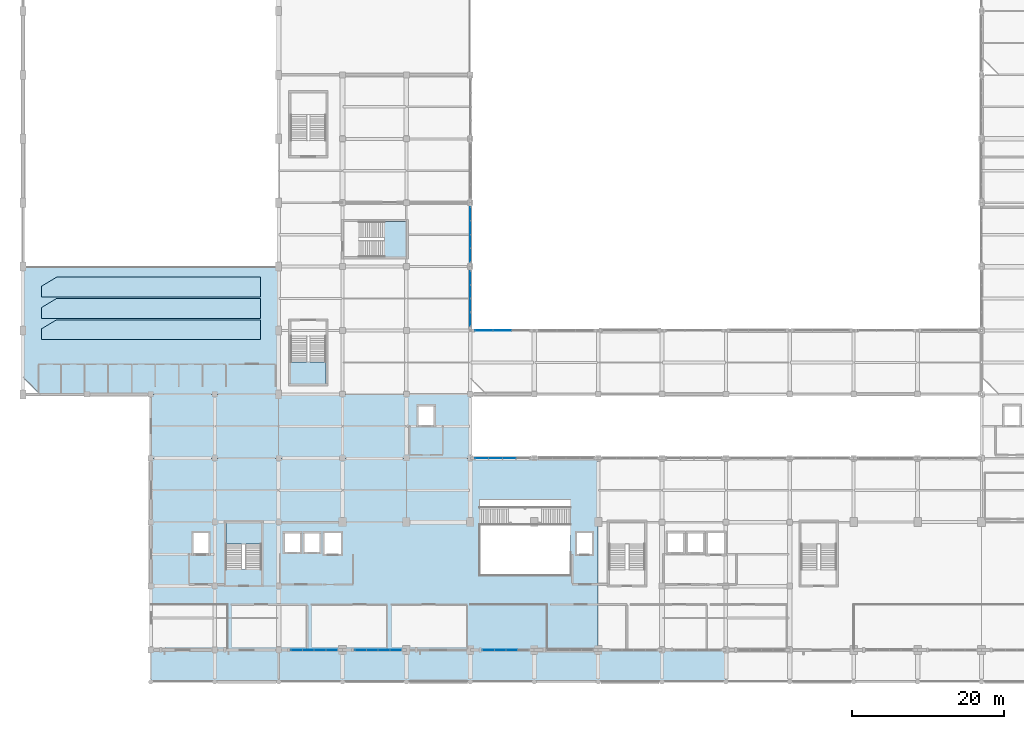
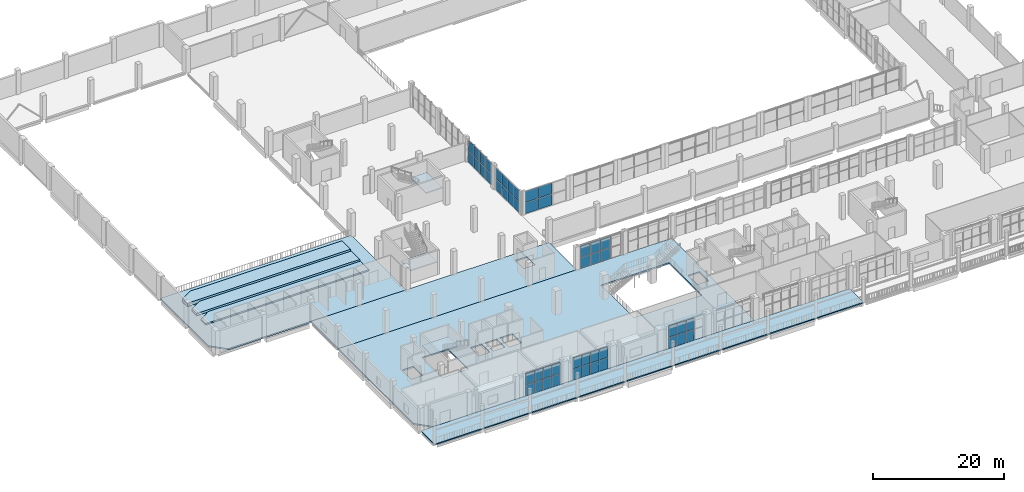
# One storey, part 46 of 75: 48 plates, 10 slabs, 10 elements without a shape of their own.
"""IFC4 building model written with IfcOpenShell, lengths in metres."""

from ifc_helpers import new_model, si_unit, derived_unit, direction, frame, origin, origin_2d, place, context, subcontext, project, spatial, polyline, rectangle, outline, extrude, material, layer, layer_set, type_object, element, aggregate, save


model = new_model("IFC4")

# Units and contexts
model_context = context("Model", 3, precision=1e-05, world=origin(), true_north=direction((0.0, 1.0)))
body_context = subcontext(model_context, "Body", "Model", "MODEL_VIEW")
ifc_project = project(units=[si_unit("LENGTHUNIT", "METRE"), si_unit("AREAUNIT", "SQUARE_METRE"), si_unit("VOLUMEUNIT", "CUBIC_METRE"), si_unit("PLANEANGLEUNIT", "RADIAN"), si_unit("MASSUNIT", "GRAM", prefix="KILO"), derived_unit("THERMALTRANSMITTANCEUNIT", [(si_unit("POWERUNIT", "WATT"), 1), (si_unit("LENGTHUNIT", "METRE"), -2), (si_unit("THERMODYNAMICTEMPERATUREUNIT", "KELVIN"), -1)])], contexts=[model_context])

# Site, building, storey
site_placement = place(None, origin())
site = spatial("IfcSite", under=ifc_project, at=site_placement, CompositionType="ELEMENT")
building_placement = place(site_placement, origin())
building = spatial("IfcBuilding", under=site, at=building_placement, Name="Barrovel Congress Hotel", CompositionType="ELEMENT")
storey_placement = place(building_placement, frame((0.0, 0.0, 5.39990234375)))
storey = spatial("IfcBuildingStorey", under=building, at=storey_placement, Name="L01", CompositionType="ELEMENT", Elevation=5.39990234375)

# Curtain wall, plates
ifc_material_1 = material(Name="Anodised Aluminium Alloy 6063-T6", Category="aluminium")
curtain_wall_type_1 = type_object("IfcCurtainWallType", Name="CW-ST-7200x3900", PredefinedType="USERDEFINED", material=ifc_material_1)
curtain_wall_1_placement = place(storey_placement, origin())
curtain_wall_1 = element("IfcCurtainWall", 1, at=curtain_wall_1_placement, inside=storey, type_object=curtain_wall_type_1, Name="CW:L01:S:04", ObjectType="STICK CURTAIN WALL", PredefinedType="USERDEFINED")
ifc_material_2 = material(Name="Double Low-E Insulated Glazing", Category="glass")
ifc_layer_1 = layer(ifc_material_2, 0.028076171875)
ifc_layer_set_1 = layer_set([ifc_layer_1], Name="Double Low-E Insulated Glazing")
plate_type_1 = type_object("IfcPlateType", Name="CWP-28", PredefinedType="CURTAIN_PANEL", material=ifc_layer_set_1)
plate_1_placement = place(storey_placement, frame((35.985107421875, 4.199951171875, 0.0302734375), z_axis=(0.0, 0.0, 1.0), x_axis=(1.0, 0.0, 0.0)))
plate_1 = element("IfcPlate", 2, at=plate_1_placement, type_object=plate_type_1, Name="CW:L01:S:04:P0-0", PredefinedType="CURTAIN_PANEL", context=body_context, shape_type="SweptSolid", body=[
    extrude(rectangle(XDim=1.469970703125, YDim=0.028076171875, at=origin_2d()), origin(), (0.0, 0.0, 1.0), 2.050048828125),
])
plate_2_placement = place(storey_placement, frame((35.985107421875, 4.199951171875, 2.14013671875), z_axis=(0.0, 0.0, 1.0), x_axis=(1.0, 0.0, 0.0)))
plate_2 = element("IfcPlate", 3, at=plate_2_placement, type_object=plate_type_1, Name="CW:L01:S:04:P0-1", PredefinedType="CURTAIN_PANEL", context=body_context, shape_type="SweptSolid", body=[
    extrude(rectangle(XDim=1.469970703125, YDim=0.028076171875, at=origin_2d()), origin(), (0.0, 0.0, 1.0), 2.050048828125),
])
plate_3_placement = place(storey_placement, frame((37.514892578125, 4.199951171875, 0.0302734375), z_axis=(0.0, 0.0, 1.0), x_axis=(1.0, 0.0, 0.0)))
plate_3 = element("IfcPlate", 4, at=plate_3_placement, type_object=plate_type_1, Name="CW:L01:S:04:P1-0", PredefinedType="CURTAIN_PANEL", context=body_context, shape_type="SweptSolid", body=[
    extrude(rectangle(XDim=1.469970703125, YDim=0.028076171875, at=origin_2d()), origin(), (0.0, 0.0, 1.0), 2.050048828125),
])
plate_4_placement = place(storey_placement, frame((37.514892578125, 4.199951171875, 2.14013671875), z_axis=(0.0, 0.0, 1.0), x_axis=(1.0, 0.0, 0.0)))
plate_4 = element("IfcPlate", 5, at=plate_4_placement, type_object=plate_type_1, Name="CW:L01:S:04:P1-1", PredefinedType="CURTAIN_PANEL", context=body_context, shape_type="SweptSolid", body=[
    extrude(rectangle(XDim=1.469970703125, YDim=0.028076171875, at=origin_2d()), origin(), (0.0, 0.0, 1.0), 2.050048828125),
])
plate_5_placement = place(storey_placement, frame((39.044921875, 4.199951171875, 0.0302734375), z_axis=(0.0, 0.0, 1.0), x_axis=(1.0, 0.0, 0.0)))
plate_5 = element("IfcPlate", 6, at=plate_5_placement, type_object=plate_type_1, Name="CW:L01:S:04:P2-0", PredefinedType="CURTAIN_PANEL", context=body_context, shape_type="SweptSolid", body=[
    extrude(rectangle(XDim=1.469970703125, YDim=0.028076171875, at=origin_2d()), origin(), (0.0, 0.0, 1.0), 2.050048828125),
])
plate_6_placement = place(storey_placement, frame((39.044921875, 4.199951171875, 2.14013671875), z_axis=(0.0, 0.0, 1.0), x_axis=(1.0, 0.0, 0.0)))
plate_6 = element("IfcPlate", 7, at=plate_6_placement, type_object=plate_type_1, Name="CW:L01:S:04:P2-1", PredefinedType="CURTAIN_PANEL", context=body_context, shape_type="SweptSolid", body=[
    extrude(rectangle(XDim=1.469970703125, YDim=0.028076171875, at=origin_2d()), origin(), (0.0, 0.0, 1.0), 2.050048828125),
])
plate_7_placement = place(storey_placement, frame((40.574951171875, 4.199951171875, 0.0302734375), z_axis=(0.0, 0.0, 1.0), x_axis=(1.0, 0.0, 0.0)))
plate_7 = element("IfcPlate", 8, at=plate_7_placement, type_object=plate_type_1, Name="CW:L01:S:04:P3-0", PredefinedType="CURTAIN_PANEL", context=body_context, shape_type="SweptSolid", body=[
    extrude(rectangle(XDim=1.469970703125, YDim=0.028076171875, at=origin_2d()), origin(), (0.0, 0.0, 1.0), 2.050048828125),
])
plate_8_placement = place(storey_placement, frame((40.574951171875, 4.199951171875, 2.14013671875), z_axis=(0.0, 0.0, 1.0), x_axis=(1.0, 0.0, 0.0)))
plate_8 = element("IfcPlate", 9, at=plate_8_placement, type_object=plate_type_1, Name="CW:L01:S:04:P3-1", PredefinedType="CURTAIN_PANEL", context=body_context, shape_type="SweptSolid", body=[
    extrude(rectangle(XDim=1.469970703125, YDim=0.028076171875, at=origin_2d()), origin(), (0.0, 0.0, 1.0), 2.050048828125),
])
aggregate(curtain_wall_1, [plate_1, plate_2, plate_3, plate_4, plate_5, plate_6, plate_7, plate_8])

curtain_wall_2_placement = place(storey_placement, origin())
curtain_wall_2 = element("IfcCurtainWall", 10, at=curtain_wall_2_placement, inside=storey, type_object=curtain_wall_type_1, Name="CW:L01:S:07", ObjectType="STICK CURTAIN WALL", PredefinedType="USERDEFINED")
plate_9_placement = place(storey_placement, frame((61.18505859375, 4.199951171875, 0.0302734375), z_axis=(0.0, 0.0, 1.0), x_axis=(1.0, 0.0, 0.0)))
plate_9 = element("IfcPlate", 11, at=plate_9_placement, type_object=plate_type_1, Name="CW:L01:S:07:P0-0", PredefinedType="CURTAIN_PANEL", context=body_context, shape_type="SweptSolid", body=[
    extrude(rectangle(XDim=1.469970703125, YDim=0.028076171875, at=origin_2d()), origin(), (0.0, 0.0, 1.0), 2.050048828125),
])
plate_10_placement = place(storey_placement, frame((61.18505859375, 4.199951171875, 2.14013671875), z_axis=(0.0, 0.0, 1.0), x_axis=(1.0, 0.0, 0.0)))
plate_10 = element("IfcPlate", 12, at=plate_10_placement, type_object=plate_type_1, Name="CW:L01:S:07:P0-1", PredefinedType="CURTAIN_PANEL", context=body_context, shape_type="SweptSolid", body=[
    extrude(rectangle(XDim=1.469970703125, YDim=0.028076171875, at=origin_2d()), origin(), (0.0, 0.0, 1.0), 2.050048828125),
])
plate_11_placement = place(storey_placement, frame((62.715087890625, 4.199951171875, 0.0302734375), z_axis=(0.0, 0.0, 1.0), x_axis=(1.0, 0.0, 0.0)))
plate_11 = element("IfcPlate", 13, at=plate_11_placement, type_object=plate_type_1, Name="CW:L01:S:07:P1-0", PredefinedType="CURTAIN_PANEL", context=body_context, shape_type="SweptSolid", body=[
    extrude(rectangle(XDim=1.469970703125, YDim=0.028076171875, at=origin_2d()), origin(), (0.0, 0.0, 1.0), 2.050048828125),
])
plate_12_placement = place(storey_placement, frame((62.715087890625, 4.199951171875, 2.14013671875), z_axis=(0.0, 0.0, 1.0), x_axis=(1.0, 0.0, 0.0)))
plate_12 = element("IfcPlate", 14, at=plate_12_placement, type_object=plate_type_1, Name="CW:L01:S:07:P1-1", PredefinedType="CURTAIN_PANEL", context=body_context, shape_type="SweptSolid", body=[
    extrude(rectangle(XDim=1.469970703125, YDim=0.028076171875, at=origin_2d()), origin(), (0.0, 0.0, 1.0), 2.050048828125),
])
plate_13_placement = place(storey_placement, frame((64.2451171875, 4.199951171875, 0.0302734375), z_axis=(0.0, 0.0, 1.0), x_axis=(1.0, 0.0, 0.0)))
plate_13 = element("IfcPlate", 15, at=plate_13_placement, type_object=plate_type_1, Name="CW:L01:S:07:P2-0", PredefinedType="CURTAIN_PANEL", context=body_context, shape_type="SweptSolid", body=[
    extrude(rectangle(XDim=1.469970703125, YDim=0.028076171875, at=origin_2d()), origin(), (0.0, 0.0, 1.0), 2.050048828125),
])
plate_14_placement = place(storey_placement, frame((64.2451171875, 4.199951171875, 2.14013671875), z_axis=(0.0, 0.0, 1.0), x_axis=(1.0, 0.0, 0.0)))
plate_14 = element("IfcPlate", 16, at=plate_14_placement, type_object=plate_type_1, Name="CW:L01:S:07:P2-1", PredefinedType="CURTAIN_PANEL", context=body_context, shape_type="SweptSolid", body=[
    extrude(rectangle(XDim=1.469970703125, YDim=0.028076171875, at=origin_2d()), origin(), (0.0, 0.0, 1.0), 2.050048828125),
])
aggregate(curtain_wall_2, [plate_9, plate_10, plate_11, plate_12, plate_13, plate_14])

curtain_wall_3_placement = place(storey_placement, origin())
curtain_wall_3 = element("IfcCurtainWall", 17, at=curtain_wall_3_placement, inside=storey, type_object=curtain_wall_type_1, Name="CW:L01:CS:07", ObjectType="STICK CURTAIN WALL", PredefinedType="USERDEFINED")
plate_15_placement = place(storey_placement, frame((63.89990234375, 29.39990234375, 0.0302734375), z_axis=(0.0, 0.0, 1.0), x_axis=(-1.0, 0.0, 0.0)))
plate_15 = element("IfcPlate", 18, at=plate_15_placement, type_object=plate_type_1, Name="CW:L01:CS:07:P1-0", PredefinedType="CURTAIN_PANEL", context=body_context, shape_type="SweptSolid", body=[
    extrude(rectangle(XDim=1.739990234375, YDim=0.028076171875, at=origin_2d()), origin(), (0.0, 0.0, 1.0), 2.050048828125),
])
plate_16_placement = place(storey_placement, frame((63.89990234375, 29.39990234375, 2.14013671875), z_axis=(0.0, 0.0, 1.0), x_axis=(-1.0, 0.0, 0.0)))
plate_16 = element("IfcPlate", 19, at=plate_16_placement, type_object=plate_type_1, Name="CW:L01:CS:07:P1-1", PredefinedType="CURTAIN_PANEL", context=body_context, shape_type="SweptSolid", body=[
    extrude(rectangle(XDim=1.739990234375, YDim=0.028076171875, at=origin_2d()), origin(), (0.0, 0.0, 1.0), 2.050048828125),
])
plate_17_placement = place(storey_placement, frame((62.10009765625, 29.39990234375, 0.0302734375), z_axis=(0.0, 0.0, 1.0), x_axis=(-1.0, 0.0, 0.0)))
plate_17 = element("IfcPlate", 20, at=plate_17_placement, type_object=plate_type_1, Name="CW:L01:CS:07:P2-0", PredefinedType="CURTAIN_PANEL", context=body_context, shape_type="SweptSolid", body=[
    extrude(rectangle(XDim=1.739990234375, YDim=0.028076171875, at=origin_2d()), origin(), (0.0, 0.0, 1.0), 2.050048828125),
])
plate_18_placement = place(storey_placement, frame((62.10009765625, 29.39990234375, 2.14013671875), z_axis=(0.0, 0.0, 1.0), x_axis=(-1.0, 0.0, 0.0)))
plate_18 = element("IfcPlate", 21, at=plate_18_placement, type_object=plate_type_1, Name="CW:L01:CS:07:P2-1", PredefinedType="CURTAIN_PANEL", context=body_context, shape_type="SweptSolid", body=[
    extrude(rectangle(XDim=1.739990234375, YDim=0.028076171875, at=origin_2d()), origin(), (0.0, 0.0, 1.0), 2.050048828125),
])
plate_19_placement = place(storey_placement, frame((60.300048828125, 29.39990234375, 0.0302734375), z_axis=(0.0, 0.0, 1.0), x_axis=(-1.0, 0.0, 0.0)))
plate_19 = element("IfcPlate", 22, at=plate_19_placement, type_object=plate_type_1, Name="CW:L01:CS:07:P3-0", PredefinedType="CURTAIN_PANEL", context=body_context, shape_type="SweptSolid", body=[
    extrude(rectangle(XDim=1.739990234375, YDim=0.028076171875, at=origin_2d()), origin(), (0.0, 0.0, 1.0), 2.050048828125),
])
plate_20_placement = place(storey_placement, frame((60.300048828125, 29.39990234375, 2.14013671875), z_axis=(0.0, 0.0, 1.0), x_axis=(-1.0, 0.0, 0.0)))
plate_20 = element("IfcPlate", 23, at=plate_20_placement, type_object=plate_type_1, Name="CW:L01:CS:07:P3-1", PredefinedType="CURTAIN_PANEL", context=body_context, shape_type="SweptSolid", body=[
    extrude(rectangle(XDim=1.739990234375, YDim=0.028076171875, at=origin_2d()), origin(), (0.0, 0.0, 1.0), 2.050048828125),
])
aggregate(curtain_wall_3, [plate_15, plate_16, plate_17, plate_18, plate_19, plate_20])

curtain_wall_type_2 = type_object("IfcCurtainWallType", Name="CW-ST-7200x3600", PredefinedType="USERDEFINED", material=ifc_material_1)
curtain_wall_4_placement = place(storey_placement, origin())
curtain_wall_4 = element("IfcCurtainWall", 24, at=curtain_wall_4_placement, inside=storey, type_object=curtain_wall_type_2, Name="CW:L01:CW:54.6", ObjectType="STICK CURTAIN WALL", PredefinedType="USERDEFINED")
plate_21_placement = place(storey_placement, frame((58.800048828125, 56.10009765625, 0.0302734375), z_axis=(0.0, 0.0, 1.0), x_axis=(0.0, 1.0, 0.0)))
plate_21 = element("IfcPlate", 25, at=plate_21_placement, type_object=plate_type_1, Name="CW:L01:CW:54.6:P0-0", PredefinedType="CURTAIN_PANEL", context=body_context, shape_type="SweptSolid", body=[
    extrude(rectangle(XDim=1.739990234375, YDim=0.028076171875, at=origin_2d()), origin(), (0.0, 0.0, 1.0), 2.050048828125),
])
plate_22_placement = place(storey_placement, frame((58.800048828125, 56.10009765625, 2.14013671875), z_axis=(0.0, 0.0, 1.0), x_axis=(0.0, 1.0, 0.0)))
plate_22 = element("IfcPlate", 26, at=plate_22_placement, type_object=plate_type_1, Name="CW:L01:CW:54.6:P0-1", PredefinedType="CURTAIN_PANEL", context=body_context, shape_type="SweptSolid", body=[
    extrude(rectangle(XDim=1.739990234375, YDim=0.028076171875, at=origin_2d()), origin(), (0.0, 0.0, 1.0), 2.050048828125),
])
plate_23_placement = place(storey_placement, frame((58.800048828125, 57.89990234375, 0.0302734375), z_axis=(0.0, 0.0, 1.0), x_axis=(0.0, 1.0, 0.0)))
plate_23 = element("IfcPlate", 27, at=plate_23_placement, type_object=plate_type_1, Name="CW:L01:CW:54.6:P1-0", PredefinedType="CURTAIN_PANEL", context=body_context, shape_type="SweptSolid", body=[
    extrude(rectangle(XDim=1.739990234375, YDim=0.028076171875, at=origin_2d()), origin(), (0.0, 0.0, 1.0), 2.050048828125),
])
plate_24_placement = place(storey_placement, frame((58.800048828125, 57.89990234375, 2.14013671875), z_axis=(0.0, 0.0, 1.0), x_axis=(0.0, 1.0, 0.0)))
plate_24 = element("IfcPlate", 28, at=plate_24_placement, type_object=plate_type_1, Name="CW:L01:CW:54.6:P1-1", PredefinedType="CURTAIN_PANEL", context=body_context, shape_type="SweptSolid", body=[
    extrude(rectangle(XDim=1.739990234375, YDim=0.028076171875, at=origin_2d()), origin(), (0.0, 0.0, 1.0), 2.050048828125),
])
plate_25_placement = place(storey_placement, frame((58.800048828125, 59.699951171875, 0.0302734375), z_axis=(0.0, 0.0, 1.0), x_axis=(0.0, 1.0, 0.0)))
plate_25 = element("IfcPlate", 29, at=plate_25_placement, type_object=plate_type_1, Name="CW:L01:CW:54.6:P2-0", PredefinedType="CURTAIN_PANEL", context=body_context, shape_type="SweptSolid", body=[
    extrude(rectangle(XDim=1.739990234375, YDim=0.028076171875, at=origin_2d()), origin(), (0.0, 0.0, 1.0), 2.050048828125),
])
plate_26_placement = place(storey_placement, frame((58.800048828125, 59.699951171875, 2.14013671875), z_axis=(0.0, 0.0, 1.0), x_axis=(0.0, 1.0, 0.0)))
plate_26 = element("IfcPlate", 30, at=plate_26_placement, type_object=plate_type_1, Name="CW:L01:CW:54.6:P2-1", PredefinedType="CURTAIN_PANEL", context=body_context, shape_type="SweptSolid", body=[
    extrude(rectangle(XDim=1.739990234375, YDim=0.028076171875, at=origin_2d()), origin(), (0.0, 0.0, 1.0), 2.050048828125),
])
plate_27_placement = place(storey_placement, frame((58.800048828125, 61.5, 0.0302734375), z_axis=(0.0, 0.0, 1.0), x_axis=(0.0, 1.0, 0.0)))
plate_27 = element("IfcPlate", 31, at=plate_27_placement, type_object=plate_type_1, Name="CW:L01:CW:54.6:P3-0", PredefinedType="CURTAIN_PANEL", context=body_context, shape_type="SweptSolid", body=[
    extrude(rectangle(XDim=1.739990234375, YDim=0.028076171875, at=origin_2d()), origin(), (0.0, 0.0, 1.0), 2.050048828125),
])
plate_28_placement = place(storey_placement, frame((58.800048828125, 61.5, 2.14013671875), z_axis=(0.0, 0.0, 1.0), x_axis=(0.0, 1.0, 0.0)))
plate_28 = element("IfcPlate", 32, at=plate_28_placement, type_object=plate_type_1, Name="CW:L01:CW:54.6:P3-1", PredefinedType="CURTAIN_PANEL", context=body_context, shape_type="SweptSolid", body=[
    extrude(rectangle(XDim=1.739990234375, YDim=0.028076171875, at=origin_2d()), origin(), (0.0, 0.0, 1.0), 2.050048828125),
])
aggregate(curtain_wall_4, [plate_21, plate_22, plate_23, plate_24, plate_25, plate_26, plate_27, plate_28])

curtain_wall_5_placement = place(storey_placement, origin())
curtain_wall_5 = element("IfcCurtainWall", 33, at=curtain_wall_5_placement, inside=storey, type_object=curtain_wall_type_1, Name="CW:L01:S:05", ObjectType="STICK CURTAIN WALL", PredefinedType="USERDEFINED")
ifc_layer_2 = layer(ifc_material_2, 0.031982421875)
ifc_layer_set_2 = layer_set([ifc_layer_2], Name="Double Low-E Insulated Glazing")
plate_type_2 = type_object("IfcPlateType", Name="CWP-32", PredefinedType="CURTAIN_PANEL", material=ifc_layer_set_2)
plate_29_placement = place(storey_placement, frame((44.385009765625, 4.199951171875, 0.0302734375), z_axis=(0.0, 0.0, 1.0), x_axis=(1.0, 0.0, 0.0)))
plate_29 = element("IfcPlate", 34, at=plate_29_placement, type_object=plate_type_2, Name="CW:L01:S:05:P0-0", PredefinedType="CURTAIN_PANEL", context=body_context, shape_type="SweptSolid", body=[
    extrude(rectangle(XDim=1.469970703125, YDim=0.031982421875, at=origin_2d()), origin(), (0.0, 0.0, 1.0), 2.050048828125),
])
plate_30_placement = place(storey_placement, frame((44.385009765625, 4.199951171875, 2.14013671875), z_axis=(0.0, 0.0, 1.0), x_axis=(1.0, 0.0, 0.0)))
plate_30 = element("IfcPlate", 35, at=plate_30_placement, type_object=plate_type_2, Name="CW:L01:S:05:P0-1", PredefinedType="CURTAIN_PANEL", context=body_context, shape_type="SweptSolid", body=[
    extrude(rectangle(XDim=1.469970703125, YDim=0.031982421875, at=origin_2d()), origin(), (0.0, 0.0, 1.0), 2.050048828125),
])
plate_31_placement = place(storey_placement, frame((45.9150390625, 4.199951171875, 0.0302734375), z_axis=(0.0, 0.0, 1.0), x_axis=(1.0, 0.0, 0.0)))
plate_31 = element("IfcPlate", 36, at=plate_31_placement, type_object=plate_type_2, Name="CW:L01:S:05:P1-0", PredefinedType="CURTAIN_PANEL", context=body_context, shape_type="SweptSolid", body=[
    extrude(rectangle(XDim=1.469970703125, YDim=0.031982421875, at=origin_2d()), origin(), (0.0, 0.0, 1.0), 2.050048828125),
])
plate_32_placement = place(storey_placement, frame((45.9150390625, 4.199951171875, 2.14013671875), z_axis=(0.0, 0.0, 1.0), x_axis=(1.0, 0.0, 0.0)))
plate_32 = element("IfcPlate", 37, at=plate_32_placement, type_object=plate_type_2, Name="CW:L01:S:05:P1-1", PredefinedType="CURTAIN_PANEL", context=body_context, shape_type="SweptSolid", body=[
    extrude(rectangle(XDim=1.469970703125, YDim=0.031982421875, at=origin_2d()), origin(), (0.0, 0.0, 1.0), 2.050048828125),
])
plate_33_placement = place(storey_placement, frame((47.445068359375, 4.199951171875, 0.0302734375), z_axis=(0.0, 0.0, 1.0), x_axis=(1.0, 0.0, 0.0)))
plate_33 = element("IfcPlate", 38, at=plate_33_placement, type_object=plate_type_2, Name="CW:L01:S:05:P2-0", PredefinedType="CURTAIN_PANEL", context=body_context, shape_type="SweptSolid", body=[
    extrude(rectangle(XDim=1.469970703125, YDim=0.031982421875, at=origin_2d()), origin(), (0.0, 0.0, 1.0), 2.050048828125),
])
plate_34_placement = place(storey_placement, frame((47.445068359375, 4.199951171875, 2.14013671875), z_axis=(0.0, 0.0, 1.0), x_axis=(1.0, 0.0, 0.0)))
plate_34 = element("IfcPlate", 39, at=plate_34_placement, type_object=plate_type_2, Name="CW:L01:S:05:P2-1", PredefinedType="CURTAIN_PANEL", context=body_context, shape_type="SweptSolid", body=[
    extrude(rectangle(XDim=1.469970703125, YDim=0.031982421875, at=origin_2d()), origin(), (0.0, 0.0, 1.0), 2.050048828125),
])
plate_35_placement = place(storey_placement, frame((48.97509765625, 4.199951171875, 0.0302734375), z_axis=(0.0, 0.0, 1.0), x_axis=(1.0, 0.0, 0.0)))
plate_35 = element("IfcPlate", 40, at=plate_35_placement, type_object=plate_type_2, Name="CW:L01:S:05:P3-0", PredefinedType="CURTAIN_PANEL", context=body_context, shape_type="SweptSolid", body=[
    extrude(rectangle(XDim=1.469970703125, YDim=0.031982421875, at=origin_2d()), origin(), (0.0, 0.0, 1.0), 2.050048828125),
])
plate_36_placement = place(storey_placement, frame((48.97509765625, 4.199951171875, 2.14013671875), z_axis=(0.0, 0.0, 1.0), x_axis=(1.0, 0.0, 0.0)))
plate_36 = element("IfcPlate", 41, at=plate_36_placement, type_object=plate_type_2, Name="CW:L01:S:05:P3-1", PredefinedType="CURTAIN_PANEL", context=body_context, shape_type="SweptSolid", body=[
    extrude(rectangle(XDim=1.469970703125, YDim=0.031982421875, at=origin_2d()), origin(), (0.0, 0.0, 1.0), 2.050048828125),
])
aggregate(curtain_wall_5, [plate_29, plate_30, plate_31, plate_32, plate_33, plate_34, plate_35, plate_36])

curtain_wall_6_placement = place(storey_placement, origin())
curtain_wall_6 = element("IfcCurtainWall", 42, at=curtain_wall_6_placement, inside=storey, type_object=curtain_wall_type_2, Name="CW:L01:CW:46.2", ObjectType="STICK CURTAIN WALL", PredefinedType="USERDEFINED")
plate_37_placement = place(storey_placement, frame((58.800048828125, 47.699951171875, 0.0302734375), z_axis=(0.0, 0.0, 1.0), x_axis=(0.0, 1.0, 0.0)))
plate_37 = element("IfcPlate", 43, at=plate_37_placement, type_object=plate_type_2, Name="CW:L01:CW:46.2:P0-0", PredefinedType="CURTAIN_PANEL", context=body_context, shape_type="SweptSolid", body=[
    extrude(rectangle(XDim=1.739990234375, YDim=0.031982421875, at=origin_2d()), origin(), (0.0, 0.0, 1.0), 2.050048828125),
])
plate_38_placement = place(storey_placement, frame((58.800048828125, 47.699951171875, 2.14013671875), z_axis=(0.0, 0.0, 1.0), x_axis=(0.0, 1.0, 0.0)))
plate_38 = element("IfcPlate", 44, at=plate_38_placement, type_object=plate_type_2, Name="CW:L01:CW:46.2:P0-1", PredefinedType="CURTAIN_PANEL", context=body_context, shape_type="SweptSolid", body=[
    extrude(rectangle(XDim=1.739990234375, YDim=0.031982421875, at=origin_2d()), origin(), (0.0, 0.0, 1.0), 2.050048828125),
])
plate_39_placement = place(storey_placement, frame((58.800048828125, 49.5, 0.0302734375), z_axis=(0.0, 0.0, 1.0), x_axis=(0.0, 1.0, 0.0)))
plate_39 = element("IfcPlate", 45, at=plate_39_placement, type_object=plate_type_2, Name="CW:L01:CW:46.2:P1-0", PredefinedType="CURTAIN_PANEL", context=body_context, shape_type="SweptSolid", body=[
    extrude(rectangle(XDim=1.739990234375, YDim=0.031982421875, at=origin_2d()), origin(), (0.0, 0.0, 1.0), 2.050048828125),
])
plate_40_placement = place(storey_placement, frame((58.800048828125, 49.5, 2.14013671875), z_axis=(0.0, 0.0, 1.0), x_axis=(0.0, 1.0, 0.0)))
plate_40 = element("IfcPlate", 46, at=plate_40_placement, type_object=plate_type_2, Name="CW:L01:CW:46.2:P1-1", PredefinedType="CURTAIN_PANEL", context=body_context, shape_type="SweptSolid", body=[
    extrude(rectangle(XDim=1.739990234375, YDim=0.031982421875, at=origin_2d()), origin(), (0.0, 0.0, 1.0), 2.050048828125),
])
plate_41_placement = place(storey_placement, frame((58.800048828125, 51.300048828125, 0.0302734375), z_axis=(0.0, 0.0, 1.0), x_axis=(0.0, 1.0, 0.0)))
plate_41 = element("IfcPlate", 47, at=plate_41_placement, type_object=plate_type_2, Name="CW:L01:CW:46.2:P2-0", PredefinedType="CURTAIN_PANEL", context=body_context, shape_type="SweptSolid", body=[
    extrude(rectangle(XDim=1.739990234375, YDim=0.031982421875, at=origin_2d()), origin(), (0.0, 0.0, 1.0), 2.050048828125),
])
plate_42_placement = place(storey_placement, frame((58.800048828125, 51.300048828125, 2.14013671875), z_axis=(0.0, 0.0, 1.0), x_axis=(0.0, 1.0, 0.0)))
plate_42 = element("IfcPlate", 48, at=plate_42_placement, type_object=plate_type_2, Name="CW:L01:CW:46.2:P2-1", PredefinedType="CURTAIN_PANEL", context=body_context, shape_type="SweptSolid", body=[
    extrude(rectangle(XDim=1.739990234375, YDim=0.031982421875, at=origin_2d()), origin(), (0.0, 0.0, 1.0), 2.050048828125),
])
plate_43_placement = place(storey_placement, frame((58.800048828125, 53.10009765625, 0.0302734375), z_axis=(0.0, 0.0, 1.0), x_axis=(0.0, 1.0, 0.0)))
plate_43 = element("IfcPlate", 49, at=plate_43_placement, type_object=plate_type_2, Name="CW:L01:CW:46.2:P3-0", PredefinedType="CURTAIN_PANEL", context=body_context, shape_type="SweptSolid", body=[
    extrude(rectangle(XDim=1.739990234375, YDim=0.031982421875, at=origin_2d()), origin(), (0.0, 0.0, 1.0), 2.050048828125),
])
plate_44_placement = place(storey_placement, frame((58.800048828125, 53.10009765625, 2.14013671875), z_axis=(0.0, 0.0, 1.0), x_axis=(0.0, 1.0, 0.0)))
plate_44 = element("IfcPlate", 50, at=plate_44_placement, type_object=plate_type_2, Name="CW:L01:CW:46.2:P3-1", PredefinedType="CURTAIN_PANEL", context=body_context, shape_type="SweptSolid", body=[
    extrude(rectangle(XDim=1.739990234375, YDim=0.031982421875, at=origin_2d()), origin(), (0.0, 0.0, 1.0), 2.050048828125),
])
aggregate(curtain_wall_6, [plate_37, plate_38, plate_39, plate_40, plate_41, plate_42, plate_43, plate_44])

curtain_wall_7_placement = place(storey_placement, origin())
curtain_wall_7 = element("IfcCurtainWall", 51, at=curtain_wall_7_placement, inside=storey, type_object=curtain_wall_type_2, Name="CW:L01:CL:07", ObjectType="STICK CURTAIN WALL", PredefinedType="USERDEFINED")
plate_45_placement = place(storey_placement, frame((63.0, 46.199951171875, 0.0302734375), z_axis=(0.0, 0.0, 1.0), x_axis=(-1.0, 0.0, 0.0)))
plate_45 = element("IfcPlate", 52, at=plate_45_placement, type_object=plate_type_2, Name="CW:L01:CL:07:P1-0", PredefinedType="CURTAIN_PANEL", context=body_context, shape_type="SweptSolid", body=[
    extrude(rectangle(XDim=2.340087890625, YDim=0.031982421875, at=origin_2d()), origin(), (0.0, 0.0, 1.0), 2.050048828125),
])
plate_46_placement = place(storey_placement, frame((63.0, 46.199951171875, 2.14013671875), z_axis=(0.0, 0.0, 1.0), x_axis=(-1.0, 0.0, 0.0)))
plate_46 = element("IfcPlate", 53, at=plate_46_placement, type_object=plate_type_2, Name="CW:L01:CL:07:P1-1", PredefinedType="CURTAIN_PANEL", context=body_context, shape_type="SweptSolid", body=[
    extrude(rectangle(XDim=2.340087890625, YDim=0.031982421875, at=origin_2d()), origin(), (0.0, 0.0, 1.0), 2.050048828125),
])
plate_47_placement = place(storey_placement, frame((60.60009765625, 46.199951171875, 0.0302734375), z_axis=(0.0, 0.0, 1.0), x_axis=(-1.0, 0.0, 0.0)))
plate_47 = element("IfcPlate", 54, at=plate_47_placement, type_object=plate_type_2, Name="CW:L01:CL:07:P2-0", PredefinedType="CURTAIN_PANEL", context=body_context, shape_type="SweptSolid", body=[
    extrude(rectangle(XDim=2.340087890625, YDim=0.031982421875, at=origin_2d()), origin(), (0.0, 0.0, 1.0), 2.050048828125),
])
plate_48_placement = place(storey_placement, frame((60.60009765625, 46.199951171875, 2.14013671875), z_axis=(0.0, 0.0, 1.0), x_axis=(-1.0, 0.0, 0.0)))
plate_48 = element("IfcPlate", 55, at=plate_48_placement, type_object=plate_type_2, Name="CW:L01:CL:07:P2-1", PredefinedType="CURTAIN_PANEL", context=body_context, shape_type="SweptSolid", body=[
    extrude(rectangle(XDim=2.340087890625, YDim=0.031982421875, at=origin_2d()), origin(), (0.0, 0.0, 1.0), 2.050048828125),
])
aggregate(curtain_wall_7, [plate_45, plate_46, plate_47, plate_48])

# Slabs
ifc_material_3 = material(Name="Concrete C35", Category="concrete")
ifc_layer_3 = layer(ifc_material_3, 0.199951171875)
ifc_layer_set_3 = layer_set([ifc_layer_3], Name="Concrete C35")
slab_type_1 = type_object("IfcSlabType", Name="SL-F200", PredefinedType="FLOOR", material=ifc_layer_set_3)
slab_1_placement = place(storey_placement, frame((0.0, 0.0, -0.199951171875)))
element("IfcSlab", 56, at=slab_1_placement, inside=storey, type_object=slab_type_1, Name="SLAB:L01:V5-ARCADE-W", PredefinedType="FLOOR", context=body_context, shape_type="SweptSolid", body=[
    extrude(outline(polyline([(16.800048828125, 0.0), (92.39990234375, 0.0), (92.39990234375, 4.199951171875), (16.800048828125, 4.199951171875), (16.800048828125, 0.0)])), origin(), (0.0, 0.0, 1.0), 0.199951171875),
])
ifc_layer_4 = layer(ifc_material_3, 0.239990234375)
ifc_layer_set_4 = layer_set([ifc_layer_4], Name="Concrete C35")
slab_type_2 = type_object("IfcSlabType", Name="SL-F240", PredefinedType="FLOOR", material=ifc_layer_set_4)
slab_2_placement = place(storey_placement, origin())
element("IfcSlab", 57, at=slab_2_placement, inside=storey, type_object=slab_type_2, Name="Congress Gallery Seating Tier 1", PredefinedType="FLOOR", context=body_context, shape_type="SweptSolid", body=[
    extrude(outline(polyline([(2.39990234375, 45.0), (31.199951171875, 45.0), (31.199951171875, 47.60009765625), (4.39990234375, 47.60009765625), (2.39990234375, 46.39990234375), (2.39990234375, 45.0)])), origin(), (0.0, 0.0, 1.0), 0.239990234375),
])
slab_3_placement = place(storey_placement, origin())
element("IfcSlab", 58, at=slab_3_placement, inside=storey, type_object=slab_type_2, Name="Congress Gallery Seating Tier 2", PredefinedType="FLOOR", context=body_context, shape_type="SweptSolid", body=[
    extrude(outline(polyline([(2.39990234375, 47.800048828125), (31.199951171875, 47.800048828125), (31.199951171875, 50.39990234375), (4.39990234375, 50.39990234375), (2.39990234375, 49.199951171875), (2.39990234375, 47.800048828125)])), origin(), (0.0, 0.0, 1.0), 0.440185546875),
])
slab_4_placement = place(storey_placement, origin())
element("IfcSlab", 59, at=slab_4_placement, inside=storey, type_object=slab_type_2, Name="Congress Gallery Seating Tier 3", PredefinedType="FLOOR", context=body_context, shape_type="SweptSolid", body=[
    extrude(outline(polyline([(2.39990234375, 50.60009765625), (31.199951171875, 50.60009765625), (31.199951171875, 53.199951171875), (4.39990234375, 53.199951171875), (2.39990234375, 52.0), (2.39990234375, 50.60009765625)])), origin(), (0.0, 0.0, 1.0), 0.64013671875),
])
ifc_layer_5 = layer(ifc_material_3, 0.260009765625)
ifc_layer_set_5 = layer_set([ifc_layer_5], Name="Concrete C35")
slab_type_3 = type_object("IfcSlabType", Name="SL-F260", PredefinedType="FLOOR", material=ifc_layer_set_5)
slab_5_placement = place(storey_placement, frame((0.0, 0.0, -0.260009765625)))
element("IfcSlab", 60, at=slab_5_placement, inside=storey, type_object=slab_type_3, Name="SLAB:L01:V4-1", PredefinedType="FLOOR", context=body_context, shape_type="SweptSolid", body=[
    extrude(outline(polyline([(19.0, 4.199951171875), (75.60009765625, 4.199951171875), (75.60009765625, 29.39990234375), (16.800048828125, 29.39990234375), (16.800048828125, 6.39990234375), (19.0, 4.199951171875)]), holes=[polyline([(26.699951171875, 14.780029296875), (26.699951171875, 21.0), (31.300048828125, 21.0), (31.300048828125, 14.780029296875), (26.699951171875, 14.780029296875)]), polyline([(22.39990234375, 16.800048828125), (22.39990234375, 19.60009765625), (24.39990234375, 19.60009765625), (24.39990234375, 16.800048828125), (22.39990234375, 16.800048828125)]), polyline([(72.800048828125, 16.800048828125), (72.800048828125, 19.60009765625), (74.800048828125, 19.60009765625), (74.800048828125, 16.800048828125), (72.800048828125, 16.800048828125)]), polyline([(34.39990234375, 17.050048828125), (34.39990234375, 19.550048828125), (36.39990234375, 19.550048828125), (36.39990234375, 17.050048828125), (34.39990234375, 17.050048828125)]), polyline([(37.0, 17.050048828125), (37.0, 19.550048828125), (39.0, 19.550048828125), (39.0, 17.050048828125), (37.0, 17.050048828125)]), polyline([(39.60009765625, 16.800048828125), (39.60009765625, 19.60009765625), (41.800048828125, 19.60009765625), (41.800048828125, 16.800048828125), (39.60009765625, 16.800048828125)]), polyline([(60.0, 14.0), (60.0, 24.0), (72.0, 24.0), (72.0, 14.0), (60.0, 14.0)])]), origin(), (0.0, 0.0, 1.0), 0.260009765625),
])
slab_6_placement = place(storey_placement, frame((0.0, 0.0, -0.260009765625)))
element("IfcSlab", 61, at=slab_6_placement, inside=storey, type_object=slab_type_3, Name="SLAB:L01:V4-4", PredefinedType="FLOOR", context=body_context, shape_type="SweptSolid", body=[
    extrude(outline(polyline([(16.800048828125, 29.39990234375), (58.800048828125, 29.39990234375), (58.800048828125, 37.800048828125), (16.800048828125, 37.800048828125), (16.800048828125, 29.39990234375)]), holes=[polyline([(52.0, 33.75), (52.0, 36.25), (54.0, 36.25), (54.0, 33.75), (52.0, 33.75)])]), origin(), (0.0, 0.0, 1.0), 0.260009765625),
])
slab_7_placement = place(storey_placement, frame((0.0, 0.0, -0.260009765625)))
element("IfcSlab", 62, at=slab_7_placement, inside=storey, type_object=slab_type_3, Name="SLAB:L01:V1-GAL", PredefinedType="FLOOR", context=body_context, shape_type="SweptSolid", body=[
    extrude(outline(polyline([(2.199951171875, 37.800048828125), (33.60009765625, 37.800048828125), (33.60009765625, 54.60009765625), (0.0, 54.60009765625), (0.0, 40.0), (2.199951171875, 37.800048828125)])), origin(), (0.0, 0.0, 1.0), 0.260009765625),
])

# Stair, slab
ifc_material_4 = material(Name="Concrete C40", Category="concrete")
stair_type_1 = type_object("IfcStairType", Name="STR-HT-450", PredefinedType="HALF_TURN_STAIR", material=ifc_material_4)
stair_1_placement = place(storey_placement, origin())
stair_1 = element("IfcStair", 63, at=stair_1_placement, inside=storey, type_object=stair_type_1, Name="Exit Stair XS-01 (L01)", PredefinedType="HALF_TURN_STAIR")
ifc_layer_6 = layer(ifc_material_4, 0.18994140625)
ifc_layer_set_6 = layer_set([ifc_layer_6], Name="Concrete C40")
slab_type_4 = type_object("IfcSlabType", Name="SL-LDG-190", PredefinedType="LANDING", material=ifc_layer_set_6)
slab_8_placement = place(storey_placement, frame((0.0, 0.0, 2.06005859375)))
slab_8 = element("IfcSlab", 64, at=slab_8_placement, type_object=slab_type_4, Name="STAIR:XS-01:L01:LDG", PredefinedType="LANDING", context=body_context, shape_type="SweptSolid", body=[
    extrude(outline(polyline([(26.679931640625, 18.1298828125), (31.320068359375, 18.1298828125), (31.320068359375, 21.02001953125), (26.679931640625, 21.02001953125), (26.679931640625, 18.1298828125)])), origin(), (0.0, 0.0, 1.0), 0.18994140625),
])
aggregate(stair_1, [slab_8])

stair_type_2 = type_object("IfcStairType", Name="STR-2Q-450", PredefinedType="TWO_QUARTER_TURN_STAIR", material=ifc_material_4)
stair_2_placement = place(storey_placement, origin())
stair_2 = element("IfcStair", 65, at=stair_2_placement, inside=storey, type_object=stair_type_2, Name="Exit Stair XS-05 (L01)", PredefinedType="TWO_QUARTER_TURN_STAIR")
ifc_layer_7 = layer(ifc_material_4, 0.2099609375)
ifc_layer_set_7 = layer_set([ifc_layer_7], Name="Concrete C40")
slab_type_5 = type_object("IfcSlabType", Name="SL-LDG-210", PredefinedType="LANDING", material=ifc_layer_set_7)
slab_9_placement = place(storey_placement, frame((0.0, 0.0, 2.0400390625)))
slab_9 = element("IfcSlab", 66, at=slab_9_placement, type_object=slab_type_5, Name="STAIR:XS-05:L01:LDG", PredefinedType="LANDING", context=body_context, shape_type="SweptSolid", body=[
    extrude(outline(polyline([(47.530029296875, 55.8798828125), (50.419921875, 55.8798828125), (50.419921875, 60.52001953125), (47.530029296875, 60.52001953125), (47.530029296875, 55.8798828125)])), origin(), (0.0, 0.0, 1.0), 0.2099609375),
])
aggregate(stair_2, [slab_9])

stair_3_placement = place(storey_placement, origin())
stair_3 = element("IfcStair", 67, at=stair_3_placement, inside=storey, type_object=stair_type_2, Name="Exit Stair XS-08 (L01)", PredefinedType="TWO_QUARTER_TURN_STAIR")
slab_10_placement = place(storey_placement, frame((0.0, 0.0, 2.0400390625)))
slab_10 = element("IfcSlab", 68, at=slab_10_placement, type_object=slab_type_5, Name="STAIR:XS-08:L01:LDG", PredefinedType="LANDING", context=body_context, shape_type="SweptSolid", body=[
    extrude(outline(polyline([(35.179931640625, 39.179931640625), (39.820068359375, 39.179931640625), (39.820068359375, 42.070068359375), (35.179931640625, 42.070068359375), (35.179931640625, 39.179931640625)])), origin(), (0.0, 0.0, 1.0), 0.2099609375),
])
aggregate(stair_3, [slab_10])

save(model, "model.ifc")
